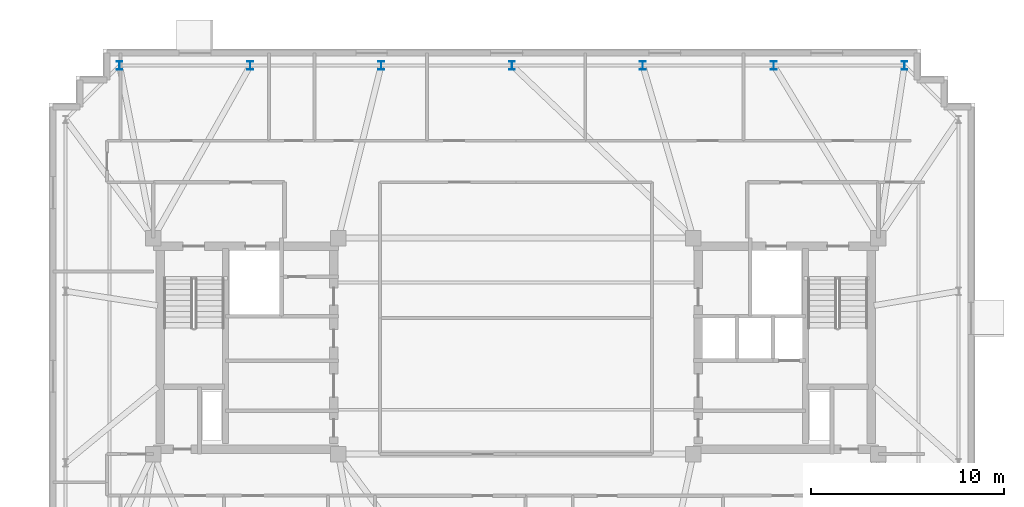
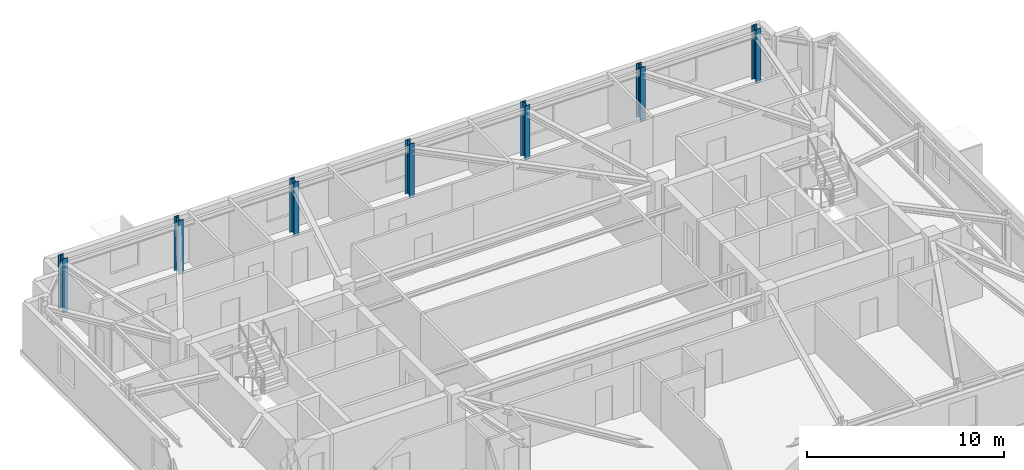
# One storey, part 3 of 11: 7 columns.
"""IFC4 building model written with IfcOpenShell, lengths in metres."""

from ifc_helpers import new_model, si_unit, direction, frame, origin, origin_2d, place, context, subcontext, project, spatial, i_section, extrude, material, material_profile, profile_set, type_object, element, save


model = new_model("IFC4")

# Units and contexts
model_context = context("Model", 3, precision=1e-05, world=origin(), true_north=direction((0.0, 1.0)))
body_context = subcontext(model_context, "Body", "Model", "MODEL_VIEW")
ifc_project = project(units=[si_unit("LENGTHUNIT", "METRE"), si_unit("AREAUNIT", "SQUARE_METRE"), si_unit("VOLUMEUNIT", "CUBIC_METRE"), si_unit("PLANEANGLEUNIT", "RADIAN"), si_unit("MASSUNIT", "GRAM", prefix="KILO")], contexts=[model_context])

# Site, building, storey
site_placement = place(None, origin())
site = spatial("IfcSite", under=ifc_project, at=site_placement, CompositionType="ELEMENT")
building_placement = place(site_placement, origin())
building = spatial("IfcBuilding", under=site, at=building_placement, Name="Qobustan Lattice House", CompositionType="ELEMENT")
storey_placement = place(building_placement, frame((0.0, 0.0, 251.75)))
storey = spatial("IfcBuildingStorey", under=building, at=storey_placement, Name="L71", CompositionType="ELEMENT", Elevation=251.75)

# Columns
ifc_material = material(Name="Steel S355", Category="steel")
ifc_material_profile = material_profile(ifc_material, i_section(OverallWidth=0.300048828125, OverallDepth=0.449951171875, WebThickness=0.013916015625, FlangeThickness=0.02587890625, FilletRadius=0.027099609375, at=origin_2d()), Name="HEB450")
ifc_profile_set = profile_set([ifc_material_profile], Name="Steel S355")
column_type = type_object("IfcColumnType", Name="COL-ST-HEB450", PredefinedType="COLUMN", material=ifc_profile_set)
for number, where, z_axis, x_axis, name in (
    (1, (20.14990234375, 14.550048828125, 0.0), (0.0, 0.0, 1.0), (1.0, 0.0, 0.0), "L71 B5 perimeter column N1"),
    (2, (13.36669921875, 14.550048828125, 0.0), (0.0, 0.0, 1.0), (1.0, 0.0, 0.0), "L71 B5 perimeter column N2"),
    (3, (6.583251953125, 14.550048828125, 0.0), (0.0, 0.0, 1.0), (1.0, 0.0, 0.0), "L71 B5 perimeter column N3"),
    (4, (-0.199951171875, 14.550048828125, 0.0), (0.0, 0.0, 1.0), (1.0, 0.0, 0.0), "L71 B5 perimeter column N4"),
    (5, (-6.9833984375, 14.550048828125, 0.0), (0.0, 0.0, 1.0), (1.0, 0.0, 0.0), "L71 B5 perimeter column N5"),
    (6, (-13.7666015625, 14.550048828125, 0.0), (0.0, 0.0, 1.0), (1.0, 0.0, 0.0), "L71 B5 perimeter column N6"),
    (7, (-20.550048828125, 14.550048828125, 0.0), (0.0, 0.0, 1.0), (1.0, 0.0, 0.0), "L71 B5 perimeter column N7"),
):
    element("IfcColumn", number, at=place(storey_placement, frame(where, z_axis=z_axis, x_axis=x_axis)), inside=storey, type_object=column_type, Name=name, PredefinedType="COLUMN", context=body_context, shape_type="SweptSolid", body=[
        extrude(i_section(OverallWidth=0.300048828125, OverallDepth=0.449951171875, WebThickness=0.013916015625, FlangeThickness=0.02587890625, FilletRadius=0.027099609375, at=origin_2d()), origin(), (0.0, 0.0, 1.0), 3.35009765625),
    ])

save(model, "model.ifc")
